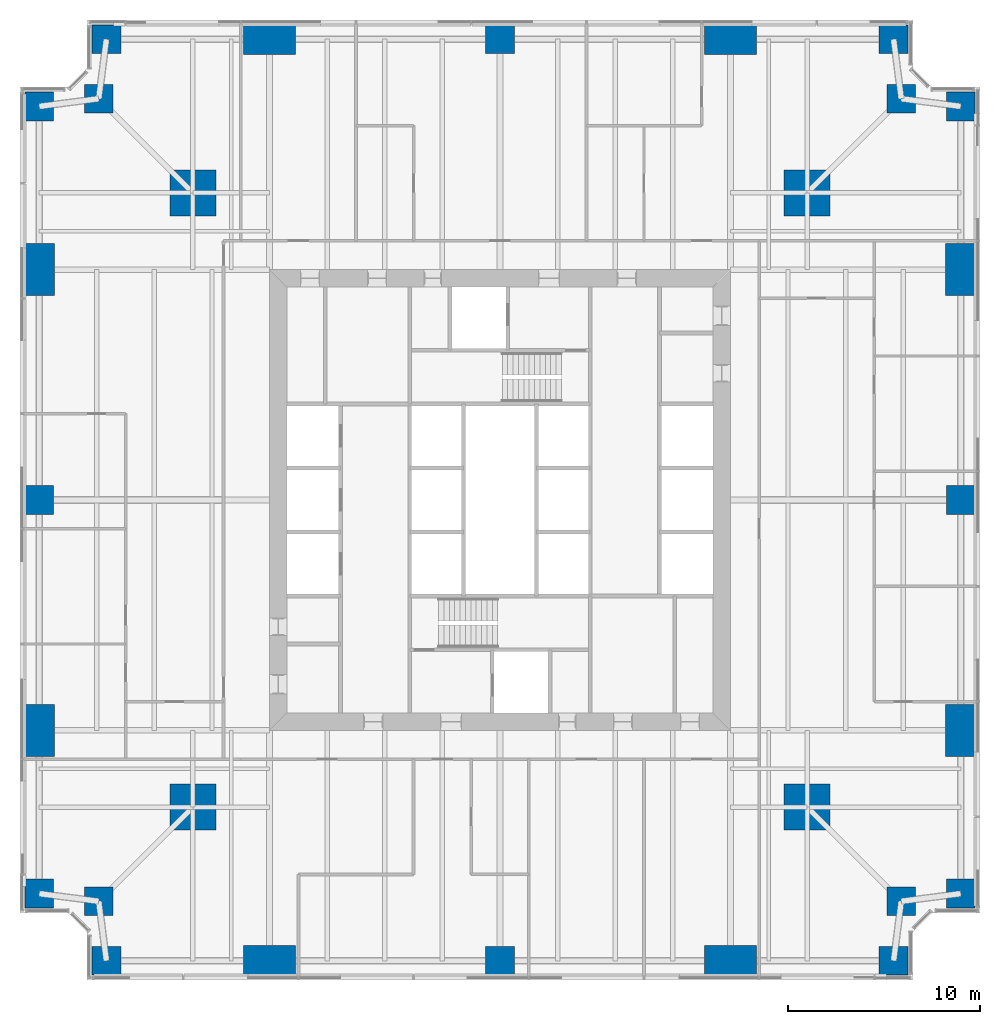
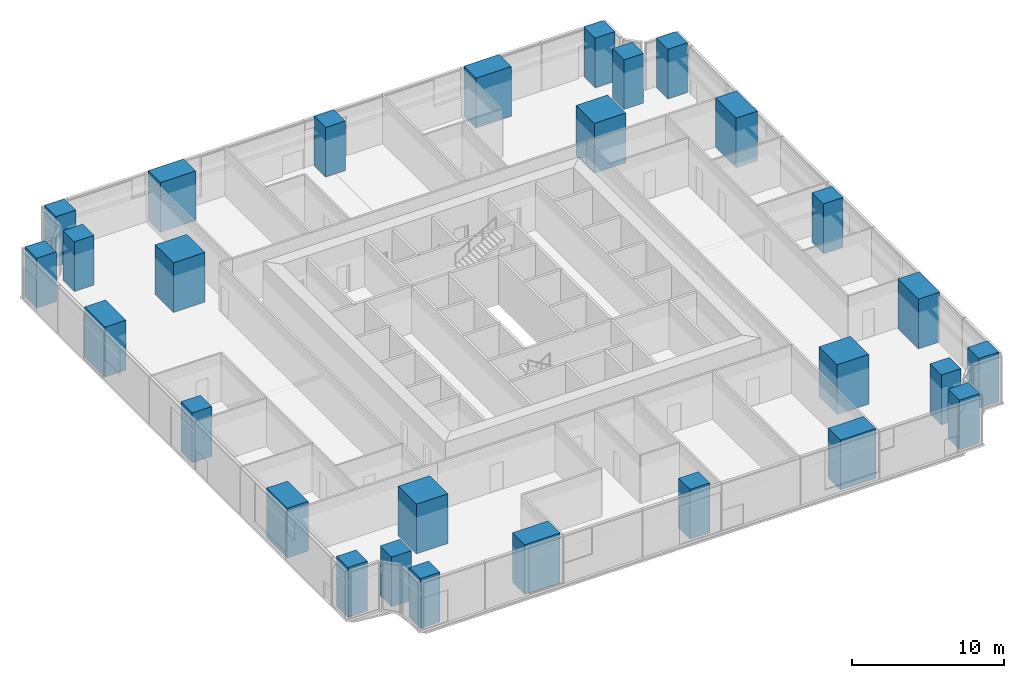
# One storey, part 1 of 14: 28 columns.
"""IFC4 building model written with IfcOpenShell, lengths in metres."""

from ifc_helpers import new_model, si_unit, direction, frame, origin, origin_2d, place, context, subcontext, project, spatial, rectangle, extrude, material, material_profile, profile_set, type_object, element, save


model = new_model("IFC4")

# Units and contexts
model_context = context("Model", 3, precision=1e-05, world=origin(), true_north=direction((0.0, 1.0)))
body_context = subcontext(model_context, "Body", "Model", "MODEL_VIEW")
ifc_project = project(units=[si_unit("LENGTHUNIT", "METRE"), si_unit("AREAUNIT", "SQUARE_METRE"), si_unit("VOLUMEUNIT", "CUBIC_METRE"), si_unit("PLANEANGLEUNIT", "RADIAN"), si_unit("MASSUNIT", "GRAM", prefix="KILO")], contexts=[model_context])

# Site, building, storey
site_placement = place(None, origin())
site = spatial("IfcSite", under=ifc_project, at=site_placement, CompositionType="ELEMENT")
building_placement = place(site_placement, origin())
building = spatial("IfcBuilding", under=site, at=building_placement, Name="Fenwick Lantern Interchange", CompositionType="ELEMENT")
storey_placement = place(building_placement, frame((0.0, 0.0, 35.0)))
storey = spatial("IfcBuildingStorey", under=building, at=storey_placement, Name="L07", CompositionType="ELEMENT", Elevation=35.0)

# Columns
ifc_material = material(Name="Concrete f'c 70 MPa", Category="concrete")
ifc_material_profile_1 = material_profile(ifc_material, rectangle(XDim=2.39990234375, YDim=2.39990234375, at=origin_2d()), Name="RC2400X2400")
ifc_profile_set_1 = profile_set([ifc_material_profile_1], Name="Concrete f'c 70 MPa")
column_type_1 = type_object("IfcColumnType", Name="MEGA COLUMN RC2400X2400", PredefinedType="COLUMN", material=ifc_profile_set_1)
for number, where, z_axis, x_axis, name in (
    (1, (9.0, 9.0, 0.0), (0.0, 0.0, 1.0), (1.0, 0.0, 0.0), "L07/M1"),
    (2, (41.0, 9.0, 0.0), (0.0, 0.0, 1.0), (1.0, 0.0, 0.0), "L07/M2"),
    (3, (41.0, 41.0, 0.0), (0.0, 0.0, 1.0), (1.0, 0.0, 0.0), "L07/M3"),
    (4, (9.0, 41.0, 0.0), (0.0, 0.0, 1.0), (1.0, 0.0, 0.0), "L07/M4"),
):
    element("IfcColumn", number, at=place(storey_placement, frame(where, z_axis=z_axis, x_axis=x_axis)), inside=storey, type_object=column_type_1, Name=name, PredefinedType="COLUMN", context=body_context, shape_type="SweptSolid", body=[
        extrude(rectangle(XDim=2.39990234375, YDim=2.39990234375, at=origin_2d()), origin(), (0.0, 0.0, 1.0), 4.0),
    ])
ifc_material_profile_2 = material_profile(ifc_material, rectangle(XDim=1.5, YDim=1.5, at=origin_2d()), Name="RC1500X1500")
ifc_profile_set_2 = profile_set([ifc_material_profile_2], Name="Concrete f'c 70 MPa")
column_type_2 = type_object("IfcColumnType", Name="PERIMETER COLUMN RC1500X1500", PredefinedType="COLUMN", material=ifc_profile_set_2)
for number, where, z_axis, x_axis, name in (
    (5, (4.5, 1.0, 0.0), (0.0, 0.0, 1.0), (1.0, 0.0, 0.0), "L07/CS1"),
    (6, (25.0, 1.0, 0.0), (0.0, 0.0, 1.0), (1.0, 0.0, 0.0), "L07/CS3"),
    (7, (45.5, 1.0, 0.0), (0.0, 0.0, 1.0), (1.0, 0.0, 0.0), "L07/CS5"),
    (8, (45.89990234375, 4.10009765625, 0.0), (0.0, 0.0, 1.0), (1.0, 0.0, 0.0), "L07/CSR"),
    (9, (49.0, 4.5, 0.0), (0.0, 0.0, 1.0), (1.0, 0.0, 0.0), "L07/CE1"),
    (10, (49.0, 25.0, 0.0), (0.0, 0.0, 1.0), (1.0, 0.0, 0.0), "L07/CE3"),
    (11, (49.0, 45.5, 0.0), (0.0, 0.0, 1.0), (1.0, 0.0, 0.0), "L07/CE5"),
    (12, (45.89990234375, 45.89990234375, 0.0), (0.0, 0.0, 1.0), (1.0, 0.0, 0.0), "L07/CER"),
    (13, (45.5, 49.0, 0.0), (0.0, 0.0, 1.0), (1.0, 0.0, 0.0), "L07/CN1"),
    (14, (25.0, 49.0, 0.0), (0.0, 0.0, 1.0), (1.0, 0.0, 0.0), "L07/CN3"),
    (15, (4.5, 49.0, 0.0), (0.0, 0.0, 1.0), (1.0, 0.0, 0.0), "L07/CN5"),
    (16, (4.10009765625, 45.89990234375, 0.0), (0.0, 0.0, 1.0), (1.0, 0.0, 0.0), "L07/CNR"),
    (17, (1.0, 45.5, 0.0), (0.0, 0.0, 1.0), (1.0, 0.0, 0.0), "L07/CW1"),
    (18, (1.0, 25.0, 0.0), (0.0, 0.0, 1.0), (1.0, 0.0, 0.0), "L07/CW3"),
    (19, (1.0, 4.5, 0.0), (0.0, 0.0, 1.0), (1.0, 0.0, 0.0), "L07/CW5"),
    (20, (4.10009765625, 4.10009765625, 0.0), (0.0, 0.0, 1.0), (1.0, 0.0, 0.0), "L07/CWR"),
):
    element("IfcColumn", number, at=place(storey_placement, frame(where, z_axis=z_axis, x_axis=x_axis)), inside=storey, type_object=column_type_2, Name=name, PredefinedType="COLUMN", context=body_context, shape_type="SweptSolid", body=[
        extrude(rectangle(XDim=1.5, YDim=1.5, at=origin_2d()), origin(), (0.0, 0.0, 1.0), 4.0),
    ])
ifc_material_profile_3 = material_profile(ifc_material, rectangle(XDim=1.60009765625, YDim=2.699951171875, at=origin_2d()), Name="RC1600X2700")
ifc_profile_set_3 = profile_set([ifc_material_profile_3], Name="Concrete f'c 70 MPa")
column_type_3 = type_object("IfcColumnType", Name="PERIMETER COLUMN RC1600X2700", PredefinedType="COLUMN", material=ifc_profile_set_3)
for number, where, z_axis, x_axis, name in (
    (21, (49.0, 13.0, 0.0), (0.0, 0.0, 1.0), (1.0, 0.0, 0.0), "L07/CE2"),
    (22, (49.0, 37.0, 0.0), (0.0, 0.0, 1.0), (1.0, 0.0, 0.0), "L07/CE4"),
    (23, (1.0, 37.0, 0.0), (0.0, 0.0, 1.0), (1.0, 0.0, 0.0), "L07/CW2"),
    (24, (1.0, 13.0, 0.0), (0.0, 0.0, 1.0), (1.0, 0.0, 0.0), "L07/CW4"),
):
    element("IfcColumn", number, at=place(storey_placement, frame(where, z_axis=z_axis, x_axis=x_axis)), inside=storey, type_object=column_type_3, Name=name, PredefinedType="COLUMN", context=body_context, shape_type="SweptSolid", body=[
        extrude(rectangle(XDim=1.60009765625, YDim=2.699951171875, at=origin_2d()), origin(), (0.0, 0.0, 1.0), 4.0),
    ])
ifc_material_profile_4 = material_profile(ifc_material, rectangle(XDim=2.699951171875, YDim=1.60009765625, at=origin_2d()), Name="RC2700X1600")
ifc_profile_set_4 = profile_set([ifc_material_profile_4], Name="Concrete f'c 70 MPa")
column_type_4 = type_object("IfcColumnType", Name="PERIMETER COLUMN RC2700X1600", PredefinedType="COLUMN", material=ifc_profile_set_4)
for number, where, z_axis, x_axis, name in (
    (25, (13.0, 1.0, 0.0), (0.0, 0.0, 1.0), (1.0, 0.0, 0.0), "L07/CS2"),
    (26, (37.0, 1.0, 0.0), (0.0, 0.0, 1.0), (1.0, 0.0, 0.0), "L07/CS4"),
    (27, (37.0, 49.0, 0.0), (0.0, 0.0, 1.0), (1.0, 0.0, 0.0), "L07/CN2"),
    (28, (13.0, 49.0, 0.0), (0.0, 0.0, 1.0), (1.0, 0.0, 0.0), "L07/CN4"),
):
    element("IfcColumn", number, at=place(storey_placement, frame(where, z_axis=z_axis, x_axis=x_axis)), inside=storey, type_object=column_type_4, Name=name, PredefinedType="COLUMN", context=body_context, shape_type="SweptSolid", body=[
        extrude(rectangle(XDim=2.699951171875, YDim=1.60009765625, at=origin_2d()), origin(), (0.0, 0.0, 1.0), 4.0),
    ])

save(model, "model.ifc")
